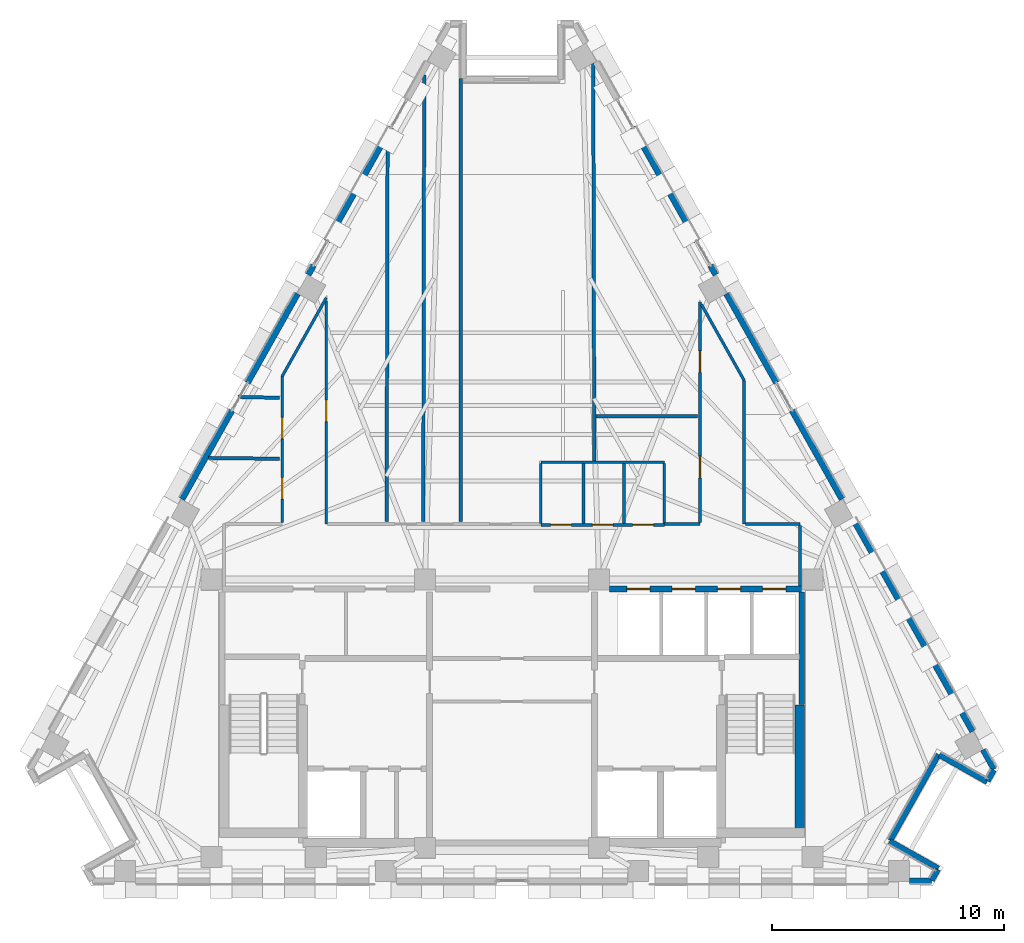
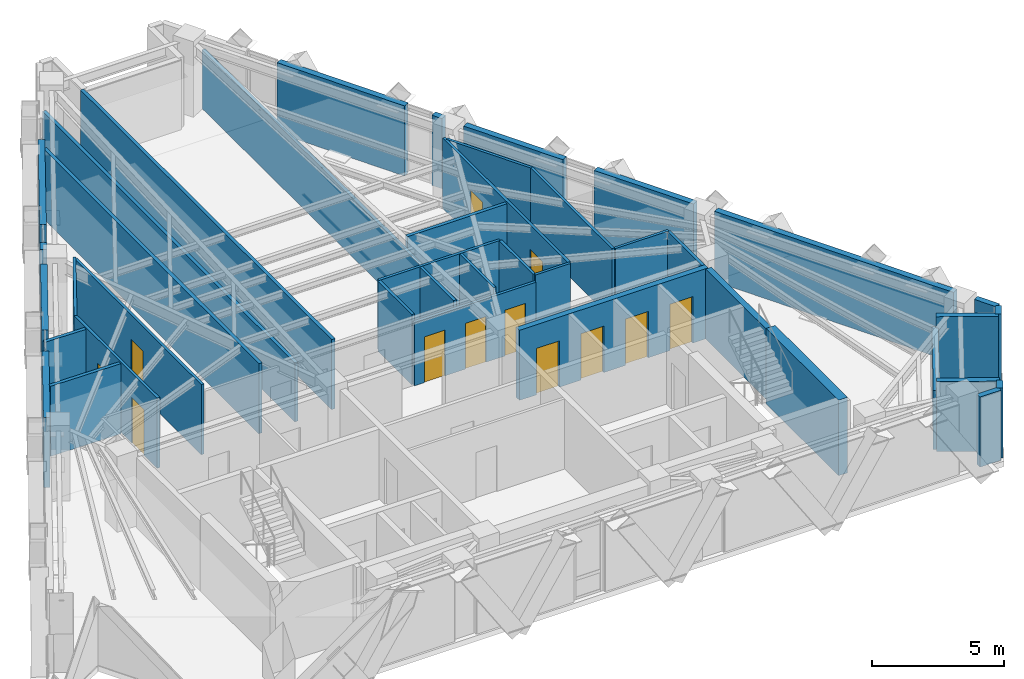
# One storey, part 8 of 12: 41 walls, 12 doors, 12 openings.
"""IFC4 building model written with IfcOpenShell, lengths in metres."""

from ifc_helpers import new_model, si_unit, direction, frame, frame_2d, origin, place, context, subcontext, project, spatial, rectangle, extrude, material, layer, layer_set, type_object, element, fill, save


model = new_model("IFC4")

# Units and contexts
model_context = context("Model", 3, precision=1e-05, world=origin(), true_north=direction((0.0, 1.0)))
body_context = subcontext(model_context, "Body", "Model", "MODEL_VIEW")
ifc_project = project(units=[si_unit("LENGTHUNIT", "METRE"), si_unit("AREAUNIT", "SQUARE_METRE"), si_unit("VOLUMEUNIT", "CUBIC_METRE"), si_unit("PLANEANGLEUNIT", "RADIAN"), si_unit("MASSUNIT", "GRAM", prefix="KILO")], contexts=[model_context])

# Site, building, storey
site_placement = place(None, origin())
site = spatial("IfcSite", under=ifc_project, at=site_placement, CompositionType="ELEMENT")
building_placement = place(site_placement, origin())
building = spatial("IfcBuilding", under=site, at=building_placement, Name="Quenlor Broadcast Tower", CompositionType="ELEMENT")
storey_placement = place(building_placement, frame((0.0, 0.0, 190.39990234375)))
storey = spatial("IfcBuildingStorey", under=building, at=storey_placement, Name="L52", CompositionType="ELEMENT", Elevation=190.39990234375)

# Walls
ifc_material_1 = material(Name="Acoustic Double Stud Gypsum Partition", Category="other")
ifc_layer_1 = layer(ifc_material_1, 0.14990234375)
ifc_layer_set_1 = layer_set([ifc_layer_1], Name="Broadcast Studio Acoustic Partition 150")
wall_type_1 = type_object("IfcWallType", Name="Broadcast Studio Acoustic Partition 150", PredefinedType="PARTITIONING", material=ifc_layer_set_1)
wall_1_placement = place(storey_placement, frame((-2.20458984375, 16.7900390625, 0.0), z_axis=(0.0, 0.0, 1.0), x_axis=(0.0, -1.0, 0.0)))
element("IfcWall", 1, at=wall_1_placement, inside=storey, type_object=wall_type_1, Name="L52 Interior Wall PW-DV-01", PredefinedType="PARTITIONING", context=body_context, shape_type="SweptSolid", body=[
    extrude(rectangle(XDim=19.080078125, YDim=0.14990234375, at=frame_2d((9.5400390625, 0.0))), origin(), (0.0, 0.0, 1.0), 3.25),
])
wall_2_placement = place(storey_placement, frame((-3.822021484375, -2.2900390625, 0.0), z_axis=(0.0, 0.0, 1.0), x_axis=(0.002043298524, 0.999997912463, 0.0)))
element("IfcWall", 2, at=wall_2_placement, inside=storey, type_object=wall_type_1, Name="L52 Interior Wall PW-DV-02", PredefinedType="PARTITIONING", context=body_context, shape_type="SweptSolid", body=[
    extrude(rectangle(XDim=19.23681640625, YDim=0.14990234375, at=frame_2d((9.618408203125, 0.0))), origin(), (0.0, 0.0, 1.0), 2.721923828125),
])
wall_3_placement = place(storey_placement, frame((3.50048828125, 17.455810546875, 0.0), z_axis=(0.0, 0.0, 1.0), x_axis=(0.002593322713, -0.999996637333, 0.0)))
element("IfcWall", 3, at=wall_3_placement, inside=storey, type_object=wall_type_1, Name="L52 Interior Wall PW-DV-03", PredefinedType="PARTITIONING", context=body_context, shape_type="SweptSolid", body=[
    extrude(rectangle(XDim=17.1337890625, YDim=0.14990234375, at=frame_2d((8.56689453125, 0.0))), origin(), (0.0, 0.0, 1.0), 2.721923828125),
])
wall_4_placement = place(storey_placement, frame((7.989990234375, 2.241943359375, 0.0), z_axis=(0.0, 0.0, 1.0), x_axis=(-1.0, 0.0, 0.0)))
element("IfcWall", 4, at=wall_4_placement, inside=storey, type_object=wall_type_1, Name="L52 Interior Wall PW-DV-05", PredefinedType="PARTITIONING", context=body_context, shape_type="SweptSolid", body=[
    extrude(rectangle(XDim=4.373046875, YDim=0.14990234375, at=frame_2d((2.1865234375, 0.0))), origin(), (0.0, 0.0, 1.0), 3.25),
])
wall_5_placement = place(storey_placement, frame((-5.399658203125, -2.2900390625, 0.0), z_axis=(0.0, 0.0, 1.0), x_axis=(0.00237719591, 0.999997174466, 0.0)))
element("IfcWall", 5, at=wall_5_placement, inside=storey, type_object=wall_type_1, Name="L52 Interior Wall PW-DV-06", PredefinedType="PARTITIONING", context=body_context, shape_type="SweptSolid", body=[
    extrude(rectangle(XDim=16.43212890625, YDim=0.14990234375, at=frame_2d((8.216064453125, 0.0))), origin(), (0.0, 0.0, 1.0), 3.25),
])
wall_6_placement = place(storey_placement, frame((-10.010009765625, 3.033447265625, 0.0), z_axis=(0.0, 0.0, 1.0), x_axis=(-0.999765394805, 0.021659994246, 0.0)))
element("IfcWall", 6, at=wall_6_placement, inside=storey, type_object=wall_type_1, Name="L52 Interior Wall PW-DV-07", PredefinedType="PARTITIONING", context=body_context, shape_type="SweptSolid", body=[
    extrude(rectangle(XDim=1.792236328125, YDim=0.14990234375, at=frame_2d((0.89599609375, 0.0))), origin(), (0.0, 0.0, 1.0), 3.25),
])
wall_7_placement = place(storey_placement, frame((-10.010009765625, 0.406494140625, 0.0), z_axis=(0.0, 0.0, 1.0), x_axis=(-0.999927242797, 0.0120627158, 0.0)))
element("IfcWall", 7, at=wall_7_placement, inside=storey, type_object=wall_type_1, Name="L52 Interior Wall PW-DV-08", PredefinedType="PARTITIONING", context=body_context, shape_type="SweptSolid", body=[
    extrude(rectangle(XDim=3.05615234375, YDim=0.14990234375, at=frame_2d((1.528076171875, 0.0))), origin(), (0.0, 0.0, 1.0), 3.25),
])
ifc_material_2 = material(Name="Concrete C50/60", Category="concrete")
ifc_layer_2 = layer(ifc_material_2, 0.39990234375)
ifc_layer_set_2 = layer_set([ifc_layer_2], Name="Core Concrete C50/60 Shear Wall 400")
wall_type_2 = type_object("IfcWallType", Name="Core Concrete C50/60 Shear Wall 400", PredefinedType="SHEAR", material=ifc_layer_set_2)
wall_8_placement = place(storey_placement, frame((12.39990234375, -15.699951171875, 0.0), z_axis=(0.0, 0.0, 1.0), x_axis=(0.0, 1.0, 0.0)))
element("IfcWall", 8, at=wall_8_placement, inside=storey, type_object=wall_type_2, Name="L52 Core Shear Wall WF-E", PredefinedType="SHEAR", context=body_context, shape_type="SweptSolid", body=[
    extrude(rectangle(XDim=5.5, YDim=0.39990234375, at=frame_2d((2.75, 0.0))), origin(), (0.0, 0.0, 1.0), 3.5),
])
ifc_material_3 = material(Name="Concrete C40/50", Category="concrete")
ifc_layer_3 = layer(ifc_material_3, 0.25)
ifc_layer_set_3 = layer_set([ifc_layer_3], Name="Fire Rated Concrete C40/50 Core Wall 250")
wall_type_3 = type_object("IfcWallType", Name="Fire Rated Concrete C40/50 Core Wall 250", PredefinedType="PARTITIONING", material=ifc_layer_set_3)
wall_9_placement = place(storey_placement, frame((12.47998046875, -10.179931640625, 0.0), z_axis=(0.0, 0.0, 1.0), x_axis=(0.0, 1.0, 0.0)))
element("IfcWall", 9, at=wall_9_placement, inside=storey, type_object=wall_type_3, Name="L52 Interior Wall CW-ST2-E2", PredefinedType="PARTITIONING", context=body_context, shape_type="SweptSolid", body=[
    extrude(rectangle(XDim=4.83984375, YDim=0.25, at=frame_2d((2.419921875, 0.0))), origin(), (0.0, 0.0, 1.0), 3.25),
])

# Wall, openings, doors
wall_10_placement = place(storey_placement, frame((4.201904296875, -5.199951171875, 0.0), z_axis=(0.0, 0.0, 1.0), x_axis=(1.0, 0.0, 0.0)))
wall_10 = element("IfcWall", 10, at=wall_10_placement, inside=storey, type_object=wall_type_3, Name="L52 Interior Wall CW-N-E", PredefinedType="PARTITIONING", context=body_context, shape_type="SweptSolid", body=[
    extrude(rectangle(XDim=8.278076171875, YDim=0.25, at=frame_2d((4.13916015625, 0.0))), origin(), (0.0, 0.0, 1.0), 3.25),
])
opening_1_placement = place(wall_10_placement, frame((0.748046875, 0.0, 0.0)))
opening_1 = element("IfcOpeningElement", 11, at=opening_1_placement, cuts=wall_10, Name="Opening LD-PL-H1", PredefinedType="OPENING", context=body_context, shape_type="SweptSolid", body=[
    extrude(rectangle(XDim=1.0, YDim=2.14990234375, at=frame_2d((0.5, 1.074951171875))), frame((0.0, 0.135009765625, 0.0), z_axis=(0.0, -1.0, 0.0), x_axis=(1.0, 0.0, 0.0)), (0.0, 0.0, 1.0), 0.27001953125),
])
opening_2_placement = place(wall_10_placement, frame((2.697998046875, 0.0, 0.0)))
opening_2 = element("IfcOpeningElement", 12, at=opening_2_placement, cuts=wall_10, Name="Opening LD-PL-H2", PredefinedType="OPENING", context=body_context, shape_type="SweptSolid", body=[
    extrude(rectangle(XDim=1.0, YDim=2.14990234375, at=frame_2d((0.5, 1.074951171875))), frame((0.0, 0.135009765625, 0.0), z_axis=(0.0, -1.0, 0.0), x_axis=(1.0, 0.0, 0.0)), (0.0, 0.0, 1.0), 0.27001953125),
])
opening_3_placement = place(wall_10_placement, frame((4.64794921875, 0.0, 0.0)))
opening_3 = element("IfcOpeningElement", 13, at=opening_3_placement, cuts=wall_10, Name="Opening LD-PL-H3", PredefinedType="OPENING", context=body_context, shape_type="SweptSolid", body=[
    extrude(rectangle(XDim=1.0, YDim=2.14990234375, at=frame_2d((0.5, 1.074951171875))), frame((0.0, 0.135009765625, 0.0), z_axis=(0.0, -1.0, 0.0), x_axis=(1.0, 0.0, 0.0)), (0.0, 0.0, 1.0), 0.27001953125),
])
opening_4_placement = place(wall_10_placement, frame((6.597900390625, 0.0, 0.0)))
opening_4 = element("IfcOpeningElement", 14, at=opening_4_placement, cuts=wall_10, Name="Opening LD-PL-H4", PredefinedType="OPENING", context=body_context, shape_type="SweptSolid", body=[
    extrude(rectangle(XDim=1.0, YDim=2.14990234375, at=frame_2d((0.5, 1.074951171875))), frame((0.0, 0.135009765625, 0.0), z_axis=(0.0, -1.0, 0.0), x_axis=(1.0, 0.0, 0.0)), (0.0, 0.0, 1.0), 0.27001953125),
])
ifc_material_4 = material(Name="Brushed Stainless Steel", Category="steel")
door_type_1 = type_object("IfcDoorType", Name="Passenger Lift Sliding Landing Door 1000x2150", OperationType="NOTDEFINED", PredefinedType="DOOR", material=ifc_material_4)
door_1_placement = place(opening_1_placement, origin())
door_1 = element("IfcDoor", 15, at=door_1_placement, inside=storey, type_object=door_type_1, Name="L52 Door LD-PL-H1", OperationType="SLIDING_TO_RIGHT", OverallHeight=2.14990234375, OverallWidth=1.0, PredefinedType="DOOR", context=body_context, shape_type="SweptSolid", body=[
    extrude(rectangle(XDim=1.0, YDim=2.14990234375, at=frame_2d((0.5, 1.074951171875))), frame((0.0, 0.02490234375, 0.0), z_axis=(0.0, -1.0, 0.0), x_axis=(1.0, 0.0, 0.0)), (0.0, 0.0, 1.0), 0.050048828125),
])
fill(opening_1, door_1)
door_2_placement = place(opening_2_placement, origin())
door_2 = element("IfcDoor", 16, at=door_2_placement, inside=storey, type_object=door_type_1, Name="L52 Door LD-PL-H2", OperationType="SLIDING_TO_RIGHT", OverallHeight=2.14990234375, OverallWidth=1.0, PredefinedType="DOOR", context=body_context, shape_type="SweptSolid", body=[
    extrude(rectangle(XDim=1.0, YDim=2.14990234375, at=frame_2d((0.5, 1.074951171875))), frame((0.0, 0.02490234375, 0.0), z_axis=(0.0, -1.0, 0.0), x_axis=(1.0, 0.0, 0.0)), (0.0, 0.0, 1.0), 0.050048828125),
])
fill(opening_2, door_2)
door_3_placement = place(opening_3_placement, origin())
door_3 = element("IfcDoor", 17, at=door_3_placement, inside=storey, type_object=door_type_1, Name="L52 Door LD-PL-H3", OperationType="SLIDING_TO_RIGHT", OverallHeight=2.14990234375, OverallWidth=1.0, PredefinedType="DOOR", context=body_context, shape_type="SweptSolid", body=[
    extrude(rectangle(XDim=1.0, YDim=2.14990234375, at=frame_2d((0.5, 1.074951171875))), frame((0.0, 0.02490234375, 0.0), z_axis=(0.0, -1.0, 0.0), x_axis=(1.0, 0.0, 0.0)), (0.0, 0.0, 1.0), 0.050048828125),
])
fill(opening_3, door_3)
door_4_placement = place(opening_4_placement, origin())
door_4 = element("IfcDoor", 18, at=door_4_placement, inside=storey, type_object=door_type_1, Name="L52 Door LD-PL-H4", OperationType="SLIDING_TO_RIGHT", OverallHeight=2.14990234375, OverallWidth=1.0, PredefinedType="DOOR", context=body_context, shape_type="SweptSolid", body=[
    extrude(rectangle(XDim=1.0, YDim=2.14990234375, at=frame_2d((0.5, 1.074951171875))), frame((0.0, 0.02490234375, 0.0), z_axis=(0.0, -1.0, 0.0), x_axis=(1.0, 0.0, 0.0)), (0.0, 0.0, 1.0), 0.050048828125),
])
fill(opening_4, door_4)

ifc_material_5 = material(Name="Gypsum Plasterboard Partition", Category="other")
ifc_layer_4 = layer(ifc_material_5, 0.1201171875)
ifc_layer_set_4 = layer_set([ifc_layer_4], Name="Standard Office Partition 120")
wall_type_4 = type_object("IfcWallType", Name="Standard Office Partition 120", PredefinedType="PARTITIONING", material=ifc_layer_set_4)
wall_11_placement = place(storey_placement, frame((1.239990234375, -2.43994140625, 0.0), z_axis=(0.0, 0.0, 1.0), x_axis=(1.0, 0.0, 0.0)))
wall_11 = element("IfcWall", 19, at=wall_11_placement, inside=storey, type_object=wall_type_4, Name="L52 Interior Wall PW-WC-S", PredefinedType="PARTITIONING", context=body_context, shape_type="SweptSolid", body=[
    extrude(rectangle(XDim=5.320068359375, YDim=0.1201171875, at=frame_2d((2.66015625, 0.0))), origin(), (0.0, 0.0, 1.0), 2.94287109375),
])
opening_5_placement = place(wall_11_placement, frame((0.419921875, 0.0, 0.0)))
opening_5 = element("IfcOpeningElement", 20, at=opening_5_placement, cuts=wall_11, Name="Opening ID-3", PredefinedType="OPENING", context=body_context, shape_type="SweptSolid", body=[
    extrude(rectangle(XDim=0.89990234375, YDim=2.1201171875, at=frame_2d((0.449951171875, 1.06005859375))), frame((0.0, 0.070068359375, 0.0), z_axis=(0.0, -1.0, 0.0), x_axis=(1.0, 0.0, 0.0)), (0.0, 0.0, 1.0), 0.14013671875),
])
opening_6_placement = place(wall_11_placement, frame((2.219970703125, 0.0, 0.0)))
opening_6 = element("IfcOpeningElement", 21, at=opening_6_placement, cuts=wall_11, Name="Opening ID-3", PredefinedType="OPENING", context=body_context, shape_type="SweptSolid", body=[
    extrude(rectangle(XDim=0.89990234375, YDim=2.1201171875, at=frame_2d((0.449951171875, 1.06005859375))), frame((0.0, 0.070068359375, 0.0), z_axis=(0.0, -1.0, 0.0), x_axis=(1.0, 0.0, 0.0)), (0.0, 0.0, 1.0), 0.14013671875),
])
opening_7_placement = place(wall_11_placement, frame((3.9599609375, 0.0, 0.0)))
opening_7 = element("IfcOpeningElement", 22, at=opening_7_placement, cuts=wall_11, Name="Opening ID-3", PredefinedType="OPENING", context=body_context, shape_type="SweptSolid", body=[
    extrude(rectangle(XDim=0.89990234375, YDim=2.1201171875, at=frame_2d((0.449951171875, 1.06005859375))), frame((0.0, 0.070068359375, 0.0), z_axis=(0.0, -1.0, 0.0), x_axis=(1.0, 0.0, 0.0)), (0.0, 0.0, 1.0), 0.14013671875),
])
ifc_material_6 = material(Name="Moisture Resistant Timber Oak", Category="wood")
door_type_2 = type_object("IfcDoorType", Name="Washroom Privacy Door 900x2120", OperationType="NOTDEFINED", PredefinedType="DOOR", material=ifc_material_6)
door_5_placement = place(opening_5_placement, origin())
door_5 = element("IfcDoor", 23, at=door_5_placement, inside=storey, type_object=door_type_2, Name="L52 Door DR-AWC", OperationType="SINGLE_SWING_LEFT", OverallHeight=2.1201171875, OverallWidth=0.89990234375, PredefinedType="DOOR", context=body_context, shape_type="SweptSolid", body=[
    extrude(rectangle(XDim=0.89990234375, YDim=2.1201171875, at=frame_2d((0.449951171875, 1.06005859375))), frame((0.0, 0.02490234375, 0.0), z_axis=(0.0, -1.0, 0.0), x_axis=(1.0, 0.0, 0.0)), (0.0, 0.0, 1.0), 0.050048828125),
])
fill(opening_5, door_5)
door_6_placement = place(opening_6_placement, origin())
door_6 = element("IfcDoor", 24, at=door_6_placement, inside=storey, type_object=door_type_2, Name="L52 Door DR-MWC", OperationType="SINGLE_SWING_LEFT", OverallHeight=2.1201171875, OverallWidth=0.89990234375, PredefinedType="DOOR", context=body_context, shape_type="SweptSolid", body=[
    extrude(rectangle(XDim=0.89990234375, YDim=2.1201171875, at=frame_2d((0.449951171875, 1.06005859375))), frame((0.0, 0.02490234375, 0.0), z_axis=(0.0, -1.0, 0.0), x_axis=(1.0, 0.0, 0.0)), (0.0, 0.0, 1.0), 0.050048828125),
])
fill(opening_6, door_6)
door_7_placement = place(opening_7_placement, origin())
door_7 = element("IfcDoor", 25, at=door_7_placement, inside=storey, type_object=door_type_2, Name="L52 Door DR-FWC", OperationType="SINGLE_SWING_RIGHT", OverallHeight=2.1201171875, OverallWidth=0.89990234375, PredefinedType="DOOR", context=body_context, shape_type="SweptSolid", body=[
    extrude(rectangle(XDim=0.89990234375, YDim=2.1201171875, at=frame_2d((0.449951171875, 1.06005859375))), frame((0.0, 0.02490234375, 0.0), z_axis=(0.0, -1.0, 0.0), x_axis=(1.0, 0.0, 0.0)), (0.0, 0.0, 1.0), 0.050048828125),
])
fill(opening_7, door_7)

# Walls
wall_12_placement = place(storey_placement, frame((1.239990234375, 0.260009765625, 0.0), z_axis=(0.0, 0.0, 1.0), x_axis=(1.0, 0.0, 0.0)))
element("IfcWall", 26, at=wall_12_placement, inside=storey, type_object=wall_type_4, Name="L52 Interior Wall PW-WC-N", PredefinedType="PARTITIONING", context=body_context, shape_type="SweptSolid", body=[
    extrude(rectangle(XDim=5.320068359375, YDim=0.1201171875, at=frame_2d((2.66015625, 0.0))), origin(), (0.0, 0.0, 1.0), 3.25),
])
for number, where, z_axis, x_axis, name in (
    (27, (1.239990234375, -2.3779296875, 0.0), (0.0, 0.0, 1.0), (0.0, 1.0, 0.0), "L52 Interior Wall PW-WC-W"),
    (28, (3.080078125, -2.3779296875, 0.0), (0.0, 0.0, 1.0), (0.0, 1.0, 0.0), "L52 Interior Wall PW-WC-M1"),
    (29, (4.820068359375, -2.3779296875, 0.0), (0.0, 0.0, 1.0), (0.0, 1.0, 0.0), "L52 Interior Wall PW-WC-M2"),
    (30, (6.56005859375, -2.3779296875, 0.0), (0.0, 0.0, 1.0), (0.0, 1.0, 0.0), "L52 Interior Wall PW-WC-E"),
):
    element("IfcWall", number, at=place(storey_placement, frame(where, z_axis=z_axis, x_axis=x_axis)), inside=storey, type_object=wall_type_4, Name=name, PredefinedType="PARTITIONING", context=body_context, shape_type="SweptSolid", body=[
        extrude(rectangle(XDim=2.575927734375, YDim=0.1201171875, at=frame_2d((1.2880859375, 0.0))), origin(), (0.0, 0.0, 1.0), 3.25),
    ])

# Wall, openings, doors
wall_13_placement = place(storey_placement, frame((-9.89990234375, -2.337890625, 0.0), z_axis=(0.0, 0.0, 1.0), x_axis=(0.0, 1.0, 0.0)))
wall_13 = element("IfcWall", 31, at=wall_13_placement, inside=storey, type_object=wall_type_4, Name="L52 Interior Wall PW-CR-03", PredefinedType="PARTITIONING", context=body_context, shape_type="SweptSolid", body=[
    extrude(rectangle(XDim=6.302734375, YDim=0.1201171875, at=frame_2d((3.1513671875, 0.0))), origin(), (0.0, 0.0, 1.0), 3.25),
])
opening_8_placement = place(wall_13_placement, frame((3.614990234375, 0.0, 0.0)))
opening_8 = element("IfcOpeningElement", 32, at=opening_8_placement, cuts=wall_13, Name="Opening ID-1", PredefinedType="OPENING", context=body_context, shape_type="SweptSolid", body=[
    extrude(rectangle(XDim=0.919921875, YDim=2.1201171875, at=frame_2d((0.4599609375, 1.06005859375))), frame((0.0, 0.070068359375, 0.0), z_axis=(0.0, -1.0, 0.0), x_axis=(1.0, 0.0, 0.0)), (0.0, 0.0, 1.0), 0.14013671875),
])
opening_9_placement = place(wall_13_placement, frame((1.010009765625, 0.0, 0.0)))
opening_9 = element("IfcOpeningElement", 33, at=opening_9_placement, cuts=wall_13, Name="Opening ID-1", PredefinedType="OPENING", context=body_context, shape_type="SweptSolid", body=[
    extrude(rectangle(XDim=0.919921875, YDim=2.1201171875, at=frame_2d((0.4599609375, 1.06005859375))), frame((0.0, 0.070068359375, 0.0), z_axis=(0.0, -1.0, 0.0), x_axis=(1.0, 0.0, 0.0)), (0.0, 0.0, 1.0), 0.14013671875),
])
ifc_material_7 = material(Name="Solid Core Timber Oak", Category="wood")
door_type_3 = type_object("IfcDoorType", Name="Single Leaf Timber Office Door 920x2120", OperationType="NOTDEFINED", PredefinedType="DOOR", material=ifc_material_7)
door_8_placement = place(opening_8_placement, origin())
door_8 = element("IfcDoor", 34, at=door_8_placement, inside=storey, type_object=door_type_3, Name="L52 Door DR-RM06", OperationType="SINGLE_SWING_RIGHT", OverallHeight=2.1201171875, OverallWidth=0.919921875, PredefinedType="DOOR", context=body_context, shape_type="SweptSolid", body=[
    extrude(rectangle(XDim=0.919921875, YDim=2.1201171875, at=frame_2d((0.4599609375, 1.06005859375))), frame((0.0, 0.02490234375, 0.0), z_axis=(0.0, -1.0, 0.0), x_axis=(1.0, 0.0, 0.0)), (0.0, 0.0, 1.0), 0.050048828125),
])
fill(opening_8, door_8)
door_9_placement = place(opening_9_placement, origin())
door_9 = element("IfcDoor", 35, at=door_9_placement, inside=storey, type_object=door_type_3, Name="L52 Door DR-RM08", OperationType="SINGLE_SWING_RIGHT", OverallHeight=2.1201171875, OverallWidth=0.919921875, PredefinedType="DOOR", context=body_context, shape_type="SweptSolid", body=[
    extrude(rectangle(XDim=0.919921875, YDim=2.1201171875, at=frame_2d((0.4599609375, 1.06005859375))), frame((0.0, 0.02490234375, 0.0), z_axis=(0.0, -1.0, 0.0), x_axis=(1.0, 0.0, 0.0)), (0.0, 0.0, 1.0), 0.050048828125),
])
fill(opening_9, door_9)

# Wall
wall_14_placement = place(storey_placement, frame((-9.89892578125, 3.966796875, 0.0), z_axis=(0.0, 0.0, 1.0), x_axis=(0.490276203052, 0.871567120032, 0.0)))
element("IfcWall", 36, at=wall_14_placement, inside=storey, type_object=wall_type_4, Name="L52 Interior Wall PW-CR-04", PredefinedType="PARTITIONING", context=body_context, shape_type="SweptSolid", body=[
    extrude(rectangle(XDim=3.873291015625, YDim=0.1201171875, at=frame_2d((1.9365234375, 0.0))), origin(), (0.0, 0.0, 1.0), 3.25),
])

# Wall, opening, door
wall_15_placement = place(storey_placement, frame((-8.0, 7.216064453125, 0.0), z_axis=(0.0, 0.0, 1.0), x_axis=(0.0, -1.0, 0.0)))
wall_15 = element("IfcWall", 37, at=wall_15_placement, inside=storey, type_object=wall_type_4, Name="L52 Interior Wall PW-CR-05", PredefinedType="PARTITIONING", context=body_context, shape_type="SweptSolid", body=[
    extrude(rectangle(XDim=9.615966796875, YDim=0.1201171875, at=frame_2d((4.80810546875, 0.0))), origin(), (0.0, 0.0, 1.0), 3.25),
])
opening_10_placement = place(wall_15_placement, frame((4.283935546875, 0.0, 0.0)))
opening_10 = element("IfcOpeningElement", 38, at=opening_10_placement, cuts=wall_15, Name="Opening ID-1", PredefinedType="OPENING", context=body_context, shape_type="SweptSolid", body=[
    extrude(rectangle(XDim=0.919921875, YDim=2.1201171875, at=frame_2d((0.4599609375, 1.06005859375))), frame((0.0, 0.070068359375, 0.0), z_axis=(0.0, -1.0, 0.0), x_axis=(1.0, 0.0, 0.0)), (0.0, 0.0, 1.0), 0.14013671875),
])
door_10_placement = place(opening_10_placement, origin())
door_10 = element("IfcDoor", 39, at=door_10_placement, inside=storey, type_object=door_type_3, Name="L52 Door DR-RM05", OperationType="SINGLE_SWING_LEFT", OverallHeight=2.1201171875, OverallWidth=0.919921875, PredefinedType="DOOR", context=body_context, shape_type="SweptSolid", body=[
    extrude(rectangle(XDim=0.919921875, YDim=2.1201171875, at=frame_2d((0.4599609375, 1.06005859375))), frame((0.0, 0.02490234375, 0.0), z_axis=(0.0, -1.0, 0.0), x_axis=(1.0, 0.0, 0.0)), (0.0, 0.0, 1.0), 0.050048828125),
])
fill(opening_10, door_10)

# Wall
wall_16_placement = place(storey_placement, frame((6.56201171875, -2.39990234375, 0.0), z_axis=(0.0, 0.0, 1.0), x_axis=(1.0, 0.0, 0.0)))
element("IfcWall", 40, at=wall_16_placement, inside=storey, type_object=wall_type_4, Name="L52 Interior Wall PW-CR-06S2", PredefinedType="PARTITIONING", context=body_context, shape_type="SweptSolid", body=[
    extrude(rectangle(XDim=1.5380859375, YDim=0.1201171875, at=frame_2d((0.76904296875, 0.0))), origin(), (0.0, 0.0, 1.0), 3.25),
])

# Wall, openings, doors
wall_17_placement = place(storey_placement, frame((8.10009765625, -2.337890625, 0.0), z_axis=(0.0, 0.0, 1.0), x_axis=(0.0, 1.0, 0.0)))
wall_17 = element("IfcWall", 41, at=wall_17_placement, inside=storey, type_object=wall_type_4, Name="L52 Interior Wall PW-CR-07", PredefinedType="PARTITIONING", context=body_context, shape_type="SweptSolid", body=[
    extrude(rectangle(XDim=9.502685546875, YDim=0.1201171875, at=frame_2d((4.75146484375, 0.0))), origin(), (0.0, 0.0, 1.0), 3.25),
])
opening_11_placement = place(wall_17_placement, frame((6.471923828125, 0.0, 0.0)))
opening_11 = element("IfcOpeningElement", 42, at=opening_11_placement, cuts=wall_17, Name="Opening ID-1", PredefinedType="OPENING", context=body_context, shape_type="SweptSolid", body=[
    extrude(rectangle(XDim=0.919921875, YDim=2.1201171875, at=frame_2d((0.4599609375, 1.06005859375))), frame((0.0, 0.070068359375, 0.0), z_axis=(0.0, -1.0, 0.0), x_axis=(1.0, 0.0, 0.0)), (0.0, 0.0, 1.0), 0.14013671875),
])
opening_12_placement = place(wall_17_placement, frame((1.927978515625, 0.0, 0.0)))
opening_12 = element("IfcOpeningElement", 43, at=opening_12_placement, cuts=wall_17, Name="Opening ID-1", PredefinedType="OPENING", context=body_context, shape_type="SweptSolid", body=[
    extrude(rectangle(XDim=0.919921875, YDim=2.1201171875, at=frame_2d((0.4599609375, 1.06005859375))), frame((0.0, 0.070068359375, 0.0), z_axis=(0.0, -1.0, 0.0), x_axis=(1.0, 0.0, 0.0)), (0.0, 0.0, 1.0), 0.14013671875),
])
door_11_placement = place(opening_11_placement, origin())
door_11 = element("IfcDoor", 44, at=door_11_placement, inside=storey, type_object=door_type_3, Name="L52 Door DR-RM03", OperationType="SINGLE_SWING_LEFT", OverallHeight=2.1201171875, OverallWidth=0.919921875, PredefinedType="DOOR", context=body_context, shape_type="SweptSolid", body=[
    extrude(rectangle(XDim=0.919921875, YDim=2.1201171875, at=frame_2d((0.4599609375, 1.06005859375))), frame((0.0, 0.02490234375, 0.0), z_axis=(0.0, -1.0, 0.0), x_axis=(1.0, 0.0, 0.0)), (0.0, 0.0, 1.0), 0.050048828125),
])
fill(opening_11, door_11)
door_12_placement = place(opening_12_placement, origin())
door_12 = element("IfcDoor", 45, at=door_12_placement, inside=storey, type_object=door_type_3, Name="L52 Door DR-RM07", OperationType="SINGLE_SWING_LEFT", OverallHeight=2.1201171875, OverallWidth=0.919921875, PredefinedType="DOOR", context=body_context, shape_type="SweptSolid", body=[
    extrude(rectangle(XDim=0.919921875, YDim=2.1201171875, at=frame_2d((0.4599609375, 1.06005859375))), frame((0.0, 0.02490234375, 0.0), z_axis=(0.0, -1.0, 0.0), x_axis=(1.0, 0.0, 0.0)), (0.0, 0.0, 1.0), 0.050048828125),
])
fill(opening_12, door_12)

# Walls
wall_18_placement = place(storey_placement, frame((8.162109375, 7.0546875, 0.0), z_axis=(0.0, 0.0, 1.0), x_axis=(0.490236504766, -0.871589450025, 0.0)))
element("IfcWall", 46, at=wall_18_placement, inside=storey, type_object=wall_type_4, Name="L52 Interior Wall PW-CR-08", PredefinedType="PARTITIONING", context=body_context, shape_type="SweptSolid", body=[
    extrude(rectangle(XDim=3.7490234375, YDim=0.1201171875, at=frame_2d((1.87451171875, 0.0))), origin(), (0.0, 0.0, 1.0), 3.25),
])
wall_19_placement = place(storey_placement, frame((10.0, 3.78466796875, 0.0), z_axis=(0.0, 0.0, 1.0), x_axis=(0.0, -1.0, 0.0)))
element("IfcWall", 47, at=wall_19_placement, inside=storey, type_object=wall_type_4, Name="L52 Interior Wall PW-CR-09", PredefinedType="PARTITIONING", context=body_context, shape_type="SweptSolid", body=[
    extrude(rectangle(XDim=6.1845703125, YDim=0.1201171875, at=frame_2d((3.09228515625, 0.0))), origin(), (0.0, 0.0, 1.0), 3.25),
])
wall_20_placement = place(storey_placement, frame((10.06201171875, -2.39990234375, 0.0), z_axis=(0.0, 0.0, 1.0), x_axis=(1.0, 0.0, 0.0)))
element("IfcWall", 48, at=wall_20_placement, inside=storey, type_object=wall_type_4, Name="L52 Interior Wall PW-CR-10", PredefinedType="PARTITIONING", context=body_context, shape_type="SweptSolid", body=[
    extrude(rectangle(XDim=2.347900390625, YDim=0.1201171875, at=frame_2d((1.173828125, 0.0))), origin(), (0.0, 0.0, 1.0), 3.25),
])
wall_21_placement = place(storey_placement, frame((12.409912109375, -2.4619140625, 0.0), z_axis=(0.0, 0.0, 1.0), x_axis=(0.0, -1.0, 0.0)))
element("IfcWall", 49, at=wall_21_placement, inside=storey, type_object=wall_type_4, Name="L52 Interior Wall PW-CR-11", PredefinedType="PARTITIONING", context=body_context, shape_type="SweptSolid", body=[
    extrude(rectangle(XDim=2.611083984375, YDim=0.1201171875, at=frame_2d((1.3056640625, 0.0))), origin(), (0.0, 0.0, 1.0), 3.25),
])
ifc_material_8 = material(Name="Precast concrete C40/50", Category="concrete")
ifc_layer_5 = layer(ifc_material_8, 0.239990234375)
ifc_layer_set_5 = layer_set([ifc_layer_5], Name="Terrace Threshold Precast Concrete C40/50 Wall 240")
wall_type_5 = type_object("IfcWallType", Name="Terrace Threshold Precast Concrete C40/50 Wall 240", PredefinedType="STANDARD", material=ifc_layer_set_5)
wall_22_placement = place(storey_placement, frame((18.06591796875, -17.77490234375, 0.0), z_axis=(0.0, 0.0, 1.0), x_axis=(-1.0, 0.0, 0.0)))
element("IfcWall", 50, at=wall_22_placement, inside=storey, type_object=wall_type_5, Name="L52 Exterior Wall L52-SHD-SS0", PredefinedType="STANDARD", context=body_context, shape_type="SweptSolid", body=[
    extrude(rectangle(XDim=0.93505859375, YDim=0.239990234375, at=frame_2d((0.467529296875, 0.0))), origin(), (0.0, 0.0, 1.0), 3.25),
])
wall_23_placement = place(storey_placement, frame((20.289794921875, -12.1298828125, 0.0), z_axis=(0.0, 0.0, 1.0), x_axis=(0.490345412687, -0.87152818443, 0.0)))
element("IfcWall", 51, at=wall_23_placement, inside=storey, type_object=wall_type_5, Name="L52 Exterior Wall L52-SHD-NES1", PredefinedType="STANDARD", context=body_context, shape_type="SweptSolid", body=[
    extrude(rectangle(XDim=0.9638671875, YDim=0.239990234375, at=frame_2d((0.48193359375, 0.0))), origin(), (0.0, 0.0, 1.0), 3.25),
])
wall_24_placement = place(storey_placement, frame((18.365966796875, -17.246826171875, 0.0), z_axis=(0.0, 0.0, 1.0), x_axis=(-0.871597270235, 0.490222600988, 0.0)))
element("IfcWall", 52, at=wall_24_placement, inside=storey, type_object=wall_type_5, Name="L52 Exterior Wall L52-CNR-01", PredefinedType="STANDARD", context=body_context, shape_type="SweptSolid", body=[
    extrude(rectangle(XDim=2.39990234375, YDim=0.239990234375, at=frame_2d((1.199951171875, 0.0))), origin(), (0.0, 0.0, 1.0), 3.25),
])
wall_25_placement = place(storey_placement, frame((16.293701171875, -16.035400390625, 0.0), z_axis=(0.0, 0.0, 1.0), x_axis=(0.49027487746, 0.871567865706, 0.0)))
element("IfcWall", 53, at=wall_25_placement, inside=storey, type_object=wall_type_5, Name="L52 Exterior Wall L52-CNR-02", PredefinedType="STANDARD", context=body_context, shape_type="SweptSolid", body=[
    extrude(rectangle(XDim=4.249755859375, YDim=0.239990234375, at=frame_2d((2.125, 0.0))), origin(), (0.0, 0.0, 1.0), 2.721923828125),
])
wall_26_placement = place(storey_placement, frame((18.412109375, -12.351318359375, 0.0), z_axis=(0.0, 0.0, 1.0), x_axis=(0.871578299909, -0.490256327984, 0.0)))
element("IfcWall", 54, at=wall_26_placement, inside=storey, type_object=wall_type_5, Name="L52 Exterior Wall L52-CNR-03", PredefinedType="STANDARD", context=body_context, shape_type="SweptSolid", body=[
    extrude(rectangle(XDim=2.35986328125, YDim=0.239990234375, at=frame_2d((1.179931640625, 0.0))), origin(), (0.0, 0.0, 1.0), 3.25),
])
wall_27_placement = place(storey_placement, frame((20.48876953125, -13.473388671875, 0.0), z_axis=(0.0, 0.0, 1.0), x_axis=(0.490133374867, 0.87164744871, 0.0)))
element("IfcWall", 55, at=wall_27_placement, inside=storey, type_object=wall_type_5, Name="L52 Exterior Wall L52-CNR-04", PredefinedType="STANDARD", context=body_context, shape_type="SweptSolid", body=[
    extrude(rectangle(XDim=0.5439453125, YDim=0.239990234375, at=frame_2d((0.27197265625, 0.0))), origin(), (0.0, 0.0, 1.0), 3.25),
])
wall_28_placement = place(storey_placement, frame((18.081298828125, -17.752685546875, 0.0), z_axis=(0.0, 0.0, 1.0), x_axis=(0.490582915772, 0.871394516136, 0.0)))
element("IfcWall", 56, at=wall_28_placement, inside=storey, type_object=wall_type_5, Name="L52 Exterior Wall L52-CNR-18", PredefinedType="STANDARD", context=body_context, shape_type="SweptSolid", body=[
    extrude(rectangle(XDim=0.54052734375, YDim=0.239990234375, at=frame_2d((0.270263671875, 0.0))), origin(), (0.0, 0.0, 1.0), 3.25),
])
ifc_material_9 = material(Name="Precast concrete C40/50", Category="concrete")
ifc_layer_6 = layer(ifc_material_9, 0.260009765625)
ifc_layer_set_6 = layer_set([ifc_layer_6], Name="Terracotta Precast Concrete C40/50 Upper Wall 260")
wall_type_6 = type_object("IfcWallType", Name="Terracotta Precast Concrete C40/50 Upper Wall 260", PredefinedType="STANDARD", material=ifc_layer_set_6)
wall_29_placement = place(storey_placement, frame((5.2080078125, 14.682373046875, 0.0), z_axis=(0.0, 0.0, 1.0), x_axis=(0.490240608828, -0.871587141631, 0.0)))
element("IfcWall", 57, at=wall_29_placement, inside=storey, type_object=wall_type_6, Name="L52 Exterior Wall L52-NEA-SP2", PredefinedType="STANDARD", context=body_context, shape_type="SweptSolid", body=[
    extrude(rectangle(XDim=5.618408203125, YDim=0.260009765625, at=frame_2d((2.80908203125, 0.0))), origin(), (0.0, 0.0, 1.0), 3.25),
])
wall_30_placement = place(storey_placement, frame((8.551513671875, 8.73828125, 0.0), z_axis=(0.0, 0.0, 1.0), x_axis=(0.490412424957, -0.871490478116, 0.0)))
element("IfcWall", 58, at=wall_30_placement, inside=storey, type_object=wall_type_6, Name="L52 Exterior Wall L52-NEA-SP3", PredefinedType="STANDARD", context=body_context, shape_type="SweptSolid", body=[
    extrude(rectangle(XDim=0.4599609375, YDim=0.260009765625, at=frame_2d((0.22998046875, 0.0))), origin(), (0.0, 0.0, 1.0), 3.25),
])
wall_31_placement = place(storey_placement, frame((14.6708984375, -2.140380859375, 0.0), z_axis=(0.0, 0.0, 1.0), x_axis=(0.490246958575, -0.871583570066, 0.0)))
element("IfcWall", 59, at=wall_31_placement, inside=storey, type_object=wall_type_6, Name="L52 Exterior Wall L52-EW-NEC", PredefinedType="STANDARD", context=body_context, shape_type="SweptSolid", body=[
    extrude(rectangle(XDim=10.551513671875, YDim=0.260009765625, at=frame_2d((5.27587890625, 0.0))), origin(), (0.0, 0.0, 1.0), 3.25),
])
wall_32_placement = place(storey_placement, frame((9.240478515625, 7.513671875, 0.0), z_axis=(0.0, 0.0, 1.0), x_axis=(0.490237464814, -0.871588910033, 0.0)))
element("IfcWall", 60, at=wall_32_placement, inside=storey, type_object=wall_type_6, Name="L52 Exterior Wall L52-NE-SP1", PredefinedType="STANDARD", context=body_context, shape_type="SweptSolid", body=[
    extrude(rectangle(XDim=4.387939453125, YDim=0.260009765625, at=frame_2d((2.19384765625, 0.0))), origin(), (0.0, 0.0, 1.0), 3.25),
])
wall_33_placement = place(storey_placement, frame((12.066162109375, 2.489990234375, 0.0), z_axis=(0.0, 0.0, 1.0), x_axis=(0.490261239633, -0.871575537125, 0.0)))
element("IfcWall", 61, at=wall_33_placement, inside=storey, type_object=wall_type_6, Name="L52 Exterior Wall L52-NE-SP2", PredefinedType="STANDARD", context=body_context, shape_type="SweptSolid", body=[
    extrude(rectangle(XDim=4.3876953125, YDim=0.260009765625, at=frame_2d((2.19384765625, 0.0))), origin(), (0.0, 0.0, 1.0), 3.25),
])
wall_34_placement = place(storey_placement, frame((-8.777099609375, 8.33740234375, 0.0), z_axis=(0.0, 0.0, 1.0), x_axis=(0.490412424957, 0.871490478116, 0.0)))
element("IfcWall", 62, at=wall_34_placement, inside=storey, type_object=wall_type_6, Name="L52 Exterior Wall L52-NWC-SP1", PredefinedType="STANDARD", context=body_context, shape_type="SweptSolid", body=[
    extrude(rectangle(XDim=0.4599609375, YDim=0.260009765625, at=frame_2d((0.22998046875, 0.0))), origin(), (0.0, 0.0, 1.0), 3.25),
])
wall_35_placement = place(storey_placement, frame((-7.96240234375, 9.785400390625, 0.0), z_axis=(0.0, 0.0, 1.0), x_axis=(0.490240608828, 0.871587141631, 0.0)))
element("IfcWall", 63, at=wall_35_placement, inside=storey, type_object=wall_type_6, Name="L52 Exterior Wall L52-NWC-SP2", PredefinedType="STANDARD", context=body_context, shape_type="SweptSolid", body=[
    extrude(rectangle(XDim=5.618408203125, YDim=0.260009765625, at=frame_2d((2.80908203125, 0.0))), origin(), (0.0, 0.0, 1.0), 3.25),
])
wall_36_placement = place(storey_placement, frame((-14.21728515625, -1.334228515625, 0.0), z_axis=(0.0, 0.0, 1.0), x_axis=(0.490261239633, 0.871575537125, 0.0)))
element("IfcWall", 64, at=wall_36_placement, inside=storey, type_object=wall_type_6, Name="L52 Exterior Wall L52-NW-SP1", PredefinedType="STANDARD", context=body_context, shape_type="SweptSolid", body=[
    extrude(rectangle(XDim=4.3876953125, YDim=0.260009765625, at=frame_2d((2.19384765625, 0.0))), origin(), (0.0, 0.0, 1.0), 3.25),
])
wall_37_placement = place(storey_placement, frame((-11.3916015625, 3.689208984375, 0.0), z_axis=(0.0, 0.0, 1.0), x_axis=(0.490237464814, 0.871588910033, 0.0)))
element("IfcWall", 65, at=wall_37_placement, inside=storey, type_object=wall_type_6, Name="L52 Exterior Wall L52-NW-SP2", PredefinedType="STANDARD", context=body_context, shape_type="SweptSolid", body=[
    extrude(rectangle(XDim=4.387939453125, YDim=0.260009765625, at=frame_2d((2.19384765625, 0.0))), origin(), (0.0, 0.0, 1.0), 3.25),
])

save(model, "model.ifc")
